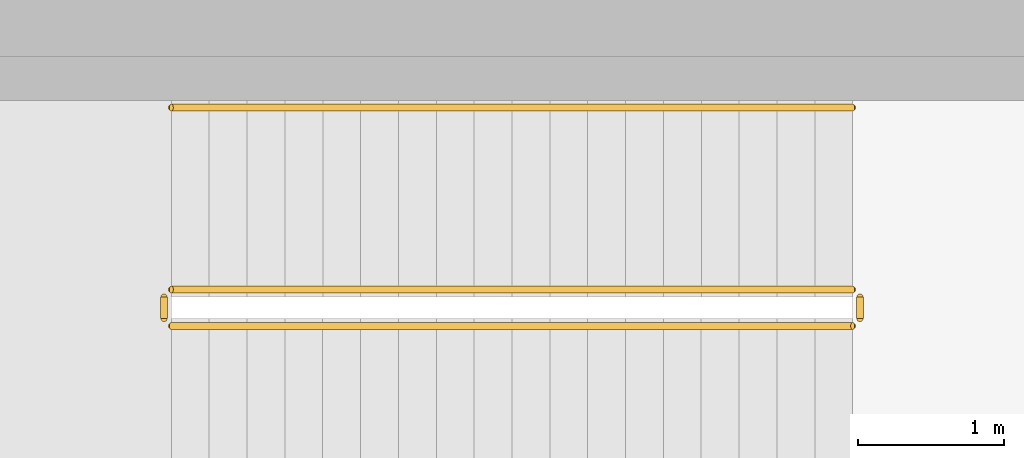
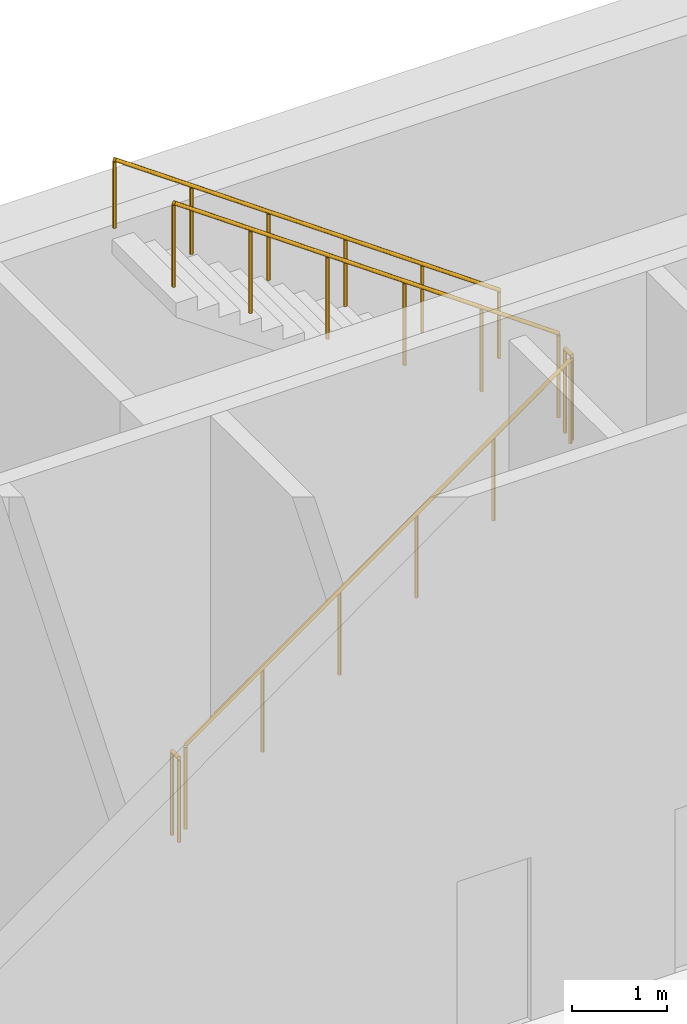
# One storey, part 9 of 9: 5 railings.
"""IFC4 building model written with IfcOpenShell, lengths in metres."""

from ifc_helpers import new_model, si_unit, direction, frame, origin, origin_2d, place, context, subcontext, project, spatial, circle, extrude, material, type_object, element, save


model = new_model("IFC4")

# Units and contexts
model_context = context("Model", 3, precision=1e-05, world=origin(), true_north=direction((0.0, 1.0)))
body_context = subcontext(model_context, "Body", "Model", "MODEL_VIEW")
ifc_project = project(units=[si_unit("LENGTHUNIT", "METRE"), si_unit("AREAUNIT", "SQUARE_METRE"), si_unit("VOLUMEUNIT", "CUBIC_METRE"), si_unit("PLANEANGLEUNIT", "RADIAN"), si_unit("MASSUNIT", "GRAM", prefix="KILO")], contexts=[model_context])

# Site, building, storey
site_placement = place(None, origin())
site = spatial("IfcSite", under=ifc_project, at=site_placement, CompositionType="ELEMENT")
building_placement = place(site_placement, origin())
building = spatial("IfcBuilding", under=site, at=building_placement, Name="White Candle Pilgrim Tower", CompositionType="ELEMENT")
storey_placement = place(building_placement, frame((0.0, 0.0, 321.699951171875)))
storey = spatial("IfcBuildingStorey", under=building, at=storey_placement, Name="L76", CompositionType="ELEMENT", Elevation=321.699951171875)

# Railings
ifc_material = material(Name="Stainless steel", Category="steel")
railing_type_1 = type_object("IfcRailingType", Name="Stair guard stainless steel 1100 mm", PredefinedType="GUARDRAIL", material=ifc_material)
railing_1_placement = place(storey_placement, frame((69.39990234375, 85.550048828125, 0.184326171875)))
element("IfcRailing", 1, at=railing_1_placement, inside=storey, type_object=railing_type_1, Name="L76 ST3 stair guard 1", PredefinedType="GUARDRAIL", context=body_context, shape_type="SweptSolid", body=[
    extrude(circle(Radius=0.02392578125, at=origin_2d()), frame((0.0, 0.0, 1.076171875), z_axis=(0.815979305124, 0.0, 0.578081113348), x_axis=(0.0, 1.0, 0.0)), (0.0, 0.0, 1.0), 5.735595703125),
    extrude(circle(Radius=0.02099609375, at=origin_2d()), origin(), (0.0, 0.0, 1.0), 1.052001953125),
    extrude(circle(Radius=0.02099609375, at=origin_2d()), frame((0.93603515625, 0.0, 0.6630859375)), (0.0, 0.0, 1.0), 1.052001953125),
    extrude(circle(Radius=0.02099609375, at=origin_2d()), frame((1.8720703125, 0.0, 1.326171875)), (0.0, 0.0, 1.0), 1.052001953125),
    extrude(circle(Radius=0.02099609375, at=origin_2d()), frame((2.80810546875, 0.0, 1.989501953125)), (0.0, 0.0, 1.0), 1.052001953125),
    extrude(circle(Radius=0.02099609375, at=origin_2d()), frame((3.744140625, 0.0, 2.652587890625)), (0.0, 0.0, 1.0), 1.052001953125),
    extrude(circle(Radius=0.02099609375, at=origin_2d()), frame((4.68017578125, 0.0, 3.315673828125)), (0.0, 0.0, 1.0), 1.052001953125),
])
railing_2_placement = place(storey_placement, frame((74.1298828125, 85.60009765625, 3.5)))
element("IfcRailing", 2, at=railing_2_placement, inside=storey, type_object=railing_type_1, Name="L76 ST3 stair guard 2", PredefinedType="GUARDRAIL", context=body_context, shape_type="SweptSolid", body=[
    extrude(circle(Radius=0.02392578125, at=origin_2d()), frame((0.0, 0.0, 1.076171875), z_axis=(0.0, 1.0, 0.0), x_axis=(-1.0, 0.0, 0.0)), (0.0, 0.0, 1.0), 0.14990234375),
    extrude(circle(Radius=0.02099609375, at=origin_2d()), origin(), (0.0, 0.0, 1.0), 1.052001953125),
    extrude(circle(Radius=0.02099609375, at=origin_2d()), frame((0.0, 0.14990234375, 0.0)), (0.0, 0.0, 1.0), 1.052001953125),
])
railing_3_placement = place(storey_placement, frame((74.080078125, 85.800048828125, 3.684326171875)))
element("IfcRailing", 3, at=railing_3_placement, inside=storey, type_object=railing_type_1, Name="L76 ST3 stair guard 3", PredefinedType="GUARDRAIL", context=body_context, shape_type="SweptSolid", body=[
    extrude(circle(Radius=0.02392578125, at=origin_2d()), frame((0.0, 0.0, 1.076171875), z_axis=(-0.815979305124, 0.0, 0.578081113348), x_axis=(0.0, -1.0, 0.0)), (0.0, 0.0, 1.0), 5.735595703125),
    extrude(circle(Radius=0.02099609375, at=origin_2d()), origin(), (0.0, 0.0, 1.0), 1.052001953125),
    extrude(circle(Radius=0.02099609375, at=origin_2d()), frame((-0.93603515625, 0.0, 0.6630859375)), (0.0, 0.0, 1.0), 1.052001953125),
    extrude(circle(Radius=0.02099609375, at=origin_2d()), frame((-1.8720703125, 0.0, 1.326171875)), (0.0, 0.0, 1.0), 1.052001953125),
    extrude(circle(Radius=0.02099609375, at=origin_2d()), frame((-2.80810546875, 0.0, 1.989501953125)), (0.0, 0.0, 1.0), 1.052001953125),
    extrude(circle(Radius=0.02099609375, at=origin_2d()), frame((-3.744140625, 0.0, 2.652587890625)), (0.0, 0.0, 1.0), 1.052001953125),
    extrude(circle(Radius=0.02099609375, at=origin_2d()), frame((-4.68017578125, 0.0, 3.315673828125)), (0.0, 0.0, 1.0), 1.052001953125),
])
railing_4_placement = place(storey_placement, frame((69.35009765625, 85.60009765625, 0.0)))
element("IfcRailing", 4, at=railing_4_placement, inside=storey, type_object=railing_type_1, Name="L76 ST3 stair guard 4", PredefinedType="GUARDRAIL", context=body_context, shape_type="SweptSolid", body=[
    extrude(circle(Radius=0.02392578125, at=origin_2d()), frame((0.0, 0.0, 1.076171875), z_axis=(0.0, 1.0, 0.0), x_axis=(-1.0, 0.0, 0.0)), (0.0, 0.0, 1.0), 0.14990234375),
    extrude(circle(Radius=0.02099609375, at=origin_2d()), origin(), (0.0, 0.0, 1.0), 1.052001953125),
    extrude(circle(Radius=0.02099609375, at=origin_2d()), frame((0.0, 0.14990234375, 0.0)), (0.0, 0.0, 1.0), 1.052001953125),
])
railing_type_2 = type_object("IfcRailingType", Name="Stair handrail stainless steel", PredefinedType="HANDRAIL", material=ifc_material)
railing_5_placement = place(storey_placement, frame((74.080078125, 87.050048828125, 3.684326171875)))
element("IfcRailing", 5, at=railing_5_placement, inside=storey, type_object=railing_type_2, Name="L76 ST3 stair handrail 2", PredefinedType="HANDRAIL", context=body_context, shape_type="SweptSolid", body=[
    extrude(circle(Radius=0.02392578125, at=origin_2d()), frame((0.0, 0.0, 0.8759765625), z_axis=(-0.815979305124, 0.0, 0.578081113348), x_axis=(0.0, -1.0, 0.0)), (0.0, 0.0, 1.0), 5.735595703125),
    extrude(circle(Radius=0.02099609375, at=origin_2d()), origin(), (0.0, 0.0, 1.0), 0.851806640625),
    extrude(circle(Radius=0.02099609375, at=origin_2d()), frame((-0.93603515625, 0.0, 0.6630859375)), (0.0, 0.0, 1.0), 0.851806640625),
    extrude(circle(Radius=0.02099609375, at=origin_2d()), frame((-1.8720703125, 0.0, 1.326171875)), (0.0, 0.0, 1.0), 0.851806640625),
    extrude(circle(Radius=0.02099609375, at=origin_2d()), frame((-2.80810546875, 0.0, 1.989501953125)), (0.0, 0.0, 1.0), 0.851806640625),
    extrude(circle(Radius=0.02099609375, at=origin_2d()), frame((-3.744140625, 0.0, 2.652587890625)), (0.0, 0.0, 1.0), 0.851806640625),
    extrude(circle(Radius=0.02099609375, at=origin_2d()), frame((-4.68017578125, 0.0, 3.315673828125)), (0.0, 0.0, 1.0), 0.851806640625),
])

save(model, "model.ifc")
